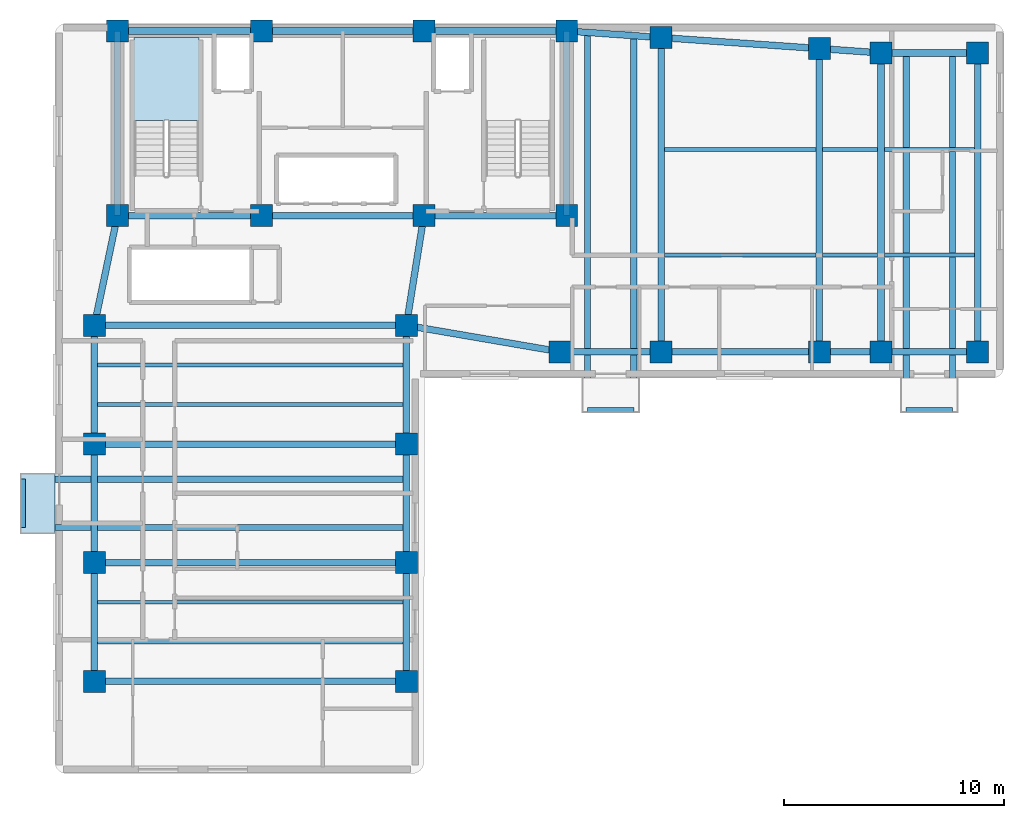
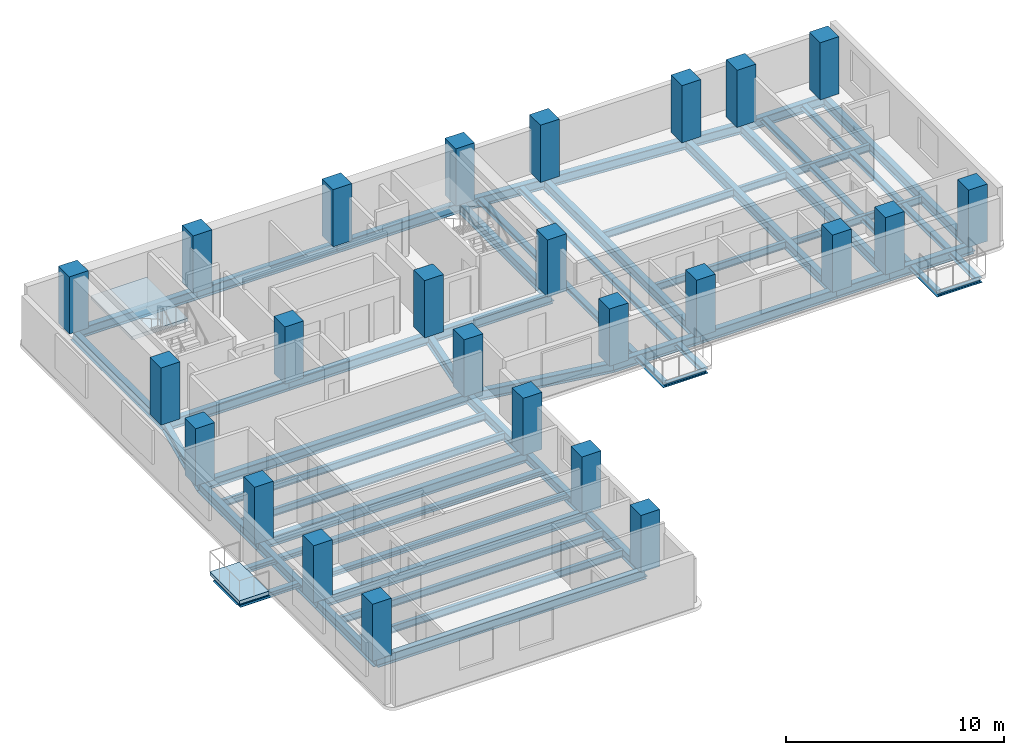
# One storey, part 1 of 7: 52 beams, 25 columns, 2 slabs, 1 element without a shape of its own.
"""IFC4 building model written with IfcOpenShell, lengths in metres."""

from ifc_helpers import new_model, si_unit, direction, frame, origin, origin_2d, place, context, subcontext, project, spatial, polyline, rectangle, i_section, outline, extrude, material, layer, layer_set, material_profile, profile_set, type_object, element, aggregate, save


model = new_model("IFC4")

# Units and contexts
model_context = context("Model", 3, precision=1e-05, world=origin(), true_north=direction((0.0, 1.0)))
body_context = subcontext(model_context, "Body", "Model", "MODEL_VIEW")
ifc_project = project(units=[si_unit("LENGTHUNIT", "METRE"), si_unit("AREAUNIT", "SQUARE_METRE"), si_unit("VOLUMEUNIT", "CUBIC_METRE"), si_unit("PLANEANGLEUNIT", "RADIAN"), si_unit("MASSUNIT", "GRAM", prefix="KILO")], contexts=[model_context])

# Site, building, storey
site_placement = place(None, origin())
site = spatial("IfcSite", under=ifc_project, at=site_placement, CompositionType="ELEMENT")
building_placement = place(site_placement, origin())
building = spatial("IfcBuilding", under=site, at=building_placement, Name="Kuzgunbayir Cultural Tower", CompositionType="ELEMENT")
storey_placement = place(building_placement, frame((0.0, 0.0, 139.39990234375)))
storey = spatial("IfcBuildingStorey", under=building, at=storey_placement, Name="L40", CompositionType="ELEMENT", Elevation=139.39990234375)

# Columns
ifc_material_1 = material(Name="Concrete C50/60", Category="concrete")
ifc_material_profile_1 = material_profile(ifc_material_1, rectangle(XDim=1.0, YDim=1.0, at=origin_2d()), Name="RC 1000x1000")
ifc_profile_set_1 = profile_set([ifc_material_profile_1], Name="Concrete C50/60")
column_type_1 = type_object("IfcColumnType", Name="COL-CORE-1000", PredefinedType="COLUMN", material=ifc_profile_set_1)
for number, where, z_axis, x_axis, name in (
    (1, (6.449951171875, 33.800048828125, 0.0), (0.0, 0.0, 1.0), (1.0, 0.0, 0.0), "L40 T1 Core Boundary Column CC1-1"),
    (2, (13.0, 33.800048828125, 0.0), (0.0, 0.0, 1.0), (1.0, 0.0, 0.0), "L40 T1 Core Boundary Column CC1-2"),
    (3, (20.39990234375, 33.800048828125, 0.0), (0.0, 0.0, 1.0), (1.0, 0.0, 0.0), "L40 T1 Core Boundary Column CC1-3"),
    (4, (26.89990234375, 33.800048828125, 0.0), (0.0, 0.0, 1.0), (1.0, 0.0, 0.0), "L40 T1 Core Boundary Column CC1-4"),
    (5, (6.449951171875, 42.199951171875, 0.0), (0.0, 0.0, 1.0), (1.0, 0.0, 0.0), "L40 T1 Core Boundary Column CC1-5"),
    (6, (13.0, 42.199951171875, 0.0), (0.0, 0.0, 1.0), (1.0, 0.0, 0.0), "L40 T1 Core Boundary Column CC1-6"),
    (7, (20.39990234375, 42.199951171875, 0.0), (0.0, 0.0, 1.0), (1.0, 0.0, 0.0), "L40 T1 Core Boundary Column CC1-7"),
    (8, (26.89990234375, 42.199951171875, 0.0), (0.0, 0.0, 1.0), (1.0, 0.0, 0.0), "L40 T1 Core Boundary Column CC1-8"),
):
    element("IfcColumn", number, at=place(storey_placement, frame(where, z_axis=z_axis, x_axis=x_axis)), inside=storey, type_object=column_type_1, Name=name, PredefinedType="COLUMN", context=body_context, shape_type="SweptSolid", body=[
        extrude(rectangle(XDim=1.0, YDim=1.0, at=origin_2d()), origin(), (0.0, 0.0, 1.0), 3.2001953125),
    ])
ifc_material_profile_2 = material_profile(ifc_material_1, rectangle(XDim=1.0, YDim=1.0, at=origin_2d()), Name="RC 1000x1000")
ifc_profile_set_2 = profile_set([ifc_material_profile_2], Name="Concrete C50/60")
column_type_2 = type_object("IfcColumnType", Name="COL-T1-1000", PredefinedType="COLUMN", material=ifc_profile_set_2)
for number, where, z_axis, x_axis, name in (
    (9, (5.39990234375, 12.60009765625, 0.0), (0.0, 0.0, 1.0), (1.0, 0.0, 0.0), "L40 Tower 1 Wing A Column T1A-W-1"),
    (10, (19.60009765625, 12.60009765625, 0.0), (0.0, 0.0, 1.0), (1.0, 0.0, 0.0), "L40 Tower 1 Wing A Column T1A-E-1"),
    (11, (5.39990234375, 18.0, 0.0), (0.0, 0.0, 1.0), (1.0, 0.0, 0.0), "L40 Tower 1 Wing A Column T1A-W-2"),
    (12, (19.60009765625, 18.0, 0.0), (0.0, 0.0, 1.0), (1.0, 0.0, 0.0), "L40 Tower 1 Wing A Column T1A-E-2"),
    (13, (5.39990234375, 23.39990234375, 0.0), (0.0, 0.0, 1.0), (1.0, 0.0, 0.0), "L40 Tower 1 Wing A Column T1A-W-3"),
    (14, (19.60009765625, 23.39990234375, 0.0), (0.0, 0.0, 1.0), (1.0, 0.0, 0.0), "L40 Tower 1 Wing A Column T1A-E-3"),
    (15, (5.39990234375, 28.800048828125, 0.0), (0.0, 0.0, 1.0), (1.0, 0.0, 0.0), "L40 Tower 1 Wing A Column T1A-W-4"),
    (16, (19.60009765625, 28.800048828125, 0.0), (0.0, 0.0, 1.0), (1.0, 0.0, 0.0), "L40 Tower 1 Wing A Column T1A-E-4"),
    (17, (26.60009765625, 27.60009765625, 0.0), (0.0, 0.0, 1.0), (1.0, 0.0, 0.0), "L40 Tower 1 Wing B Column T1B-1-1"),
    (18, (31.199951171875, 27.60009765625, 0.0), (0.0, 0.0, 1.0), (1.0, 0.0, 0.0), "L40 Tower 1 Wing B Column T1B-2-1"),
    (19, (31.199951171875, 41.89990234375, 0.0), (0.0, 0.0, 1.0), (1.0, 0.0, 0.0), "L40 Tower 1 Wing B Column T1B-2-2"),
    (20, (38.39990234375, 27.60009765625, 0.0), (0.0, 0.0, 1.0), (1.0, 0.0, 0.0), "L40 Tower 1 Wing B Column T1B-3-1"),
    (21, (38.39990234375, 41.39990234375, 0.0), (0.0, 0.0, 1.0), (1.0, 0.0, 0.0), "L40 Tower 1 Wing B Column T1B-3-2"),
    (22, (41.199951171875, 27.60009765625, 0.0), (0.0, 0.0, 1.0), (1.0, 0.0, 0.0), "L40 Tower 1 Wing B Column T1B-4-1"),
    (23, (41.199951171875, 41.199951171875, 0.0), (0.0, 0.0, 1.0), (1.0, 0.0, 0.0), "L40 Tower 1 Wing B Column T1B-4-2"),
    (24, (45.60009765625, 27.60009765625, 0.0), (0.0, 0.0, 1.0), (1.0, 0.0, 0.0), "L40 Tower 1 Wing B Column T1B-5-1"),
    (25, (45.60009765625, 41.199951171875, 0.0), (0.0, 0.0, 1.0), (1.0, 0.0, 0.0), "L40 Tower 1 Wing B Column T1B-5-2"),
):
    element("IfcColumn", number, at=place(storey_placement, frame(where, z_axis=z_axis, x_axis=x_axis)), inside=storey, type_object=column_type_2, Name=name, PredefinedType="COLUMN", context=body_context, shape_type="SweptSolid", body=[
        extrude(rectangle(XDim=1.0, YDim=1.0, at=origin_2d()), origin(), (0.0, 0.0, 1.0), 3.2001953125),
    ])

# Beams
ifc_material_2 = material(Name="Steel S355J2", Category="steel")
ifc_material_profile_3 = material_profile(ifc_material_2, i_section(OverallWidth=0.280029296875, OverallDepth=0.280029296875, WebThickness=0.010498046875, FlangeThickness=0.01806640625, FilletRadius=0.02392578125, at=origin_2d()), Name="HEB 280")
ifc_profile_set_3 = profile_set([ifc_material_profile_3], Name="Steel S355J2")
beam_type_1 = type_object("IfcBeamType", Name="BM-BAL-HEB280", PredefinedType="BEAM", material=ifc_profile_set_3)
for number, where, z_axis, x_axis, name in (
    (26, (2.159912109375, 19.60009765625, -0.33984375), (1.0, 0.0, 0.0), (0.0, 1.0, 0.0), "L40 Balcony Outrigger Beam BAL-L40-WA2.1"),
    (27, (2.159912109375, 21.800048828125, -0.33984375), (1.0, 0.0, 0.0), (0.0, 1.0, 0.0), "L40 Balcony Outrigger Beam BAL-L40-WA2.2"),
):
    element("IfcBeam", number, at=place(storey_placement, frame(where, z_axis=z_axis, x_axis=x_axis)), inside=storey, type_object=beam_type_1, Name=name, PredefinedType="BEAM", context=body_context, shape_type="SweptSolid", body=[
        extrude(i_section(OverallWidth=0.280029296875, OverallDepth=0.280029296875, WebThickness=0.010498046875, FlangeThickness=0.01806640625, FilletRadius=0.02392578125, at=origin_2d()), origin(), (0.0, 0.0, 1.0), 17.440185546875),
    ])
beam_1_placement = place(storey_placement, frame((27.85009765625, 24.9599609375, -0.33984375), z_axis=(0.0, 1.0, 0.0), x_axis=(-1.0, 0.0, 0.0)))
element("IfcBeam", 28, at=beam_1_placement, inside=storey, type_object=beam_type_1, Name="L40 Balcony Outrigger Beam BAL-L40-WB1.1", PredefinedType="BEAM", context=body_context, shape_type="SweptSolid", body=[
    extrude(i_section(OverallWidth=0.280029296875, OverallDepth=0.280029296875, WebThickness=0.010498046875, FlangeThickness=0.01806640625, FilletRadius=0.02392578125, at=origin_2d()), origin(), (0.0, 0.0, 1.0), 17.169921875),
])
beam_2_placement = place(storey_placement, frame((29.949951171875, 24.9599609375, -0.33984375), z_axis=(0.0, 1.0, 0.0), x_axis=(-1.0, 0.0, 0.0)))
element("IfcBeam", 29, at=beam_2_placement, inside=storey, type_object=beam_type_1, Name="L40 Balcony Outrigger Beam BAL-L40-WB1.2", PredefinedType="BEAM", context=body_context, shape_type="SweptSolid", body=[
    extrude(i_section(OverallWidth=0.280029296875, OverallDepth=0.280029296875, WebThickness=0.010498046875, FlangeThickness=0.01806640625, FilletRadius=0.02392578125, at=origin_2d()), origin(), (0.0, 0.0, 1.0), 17.030029296875),
])
for number, where, z_axis, x_axis, name in (
    (30, (42.35009765625, 24.9599609375, -0.33984375), (0.0, 1.0, 0.0), (-1.0, 0.0, 0.0), "L40 Balcony Outrigger Beam BAL-L40-WB3.1"),
    (31, (44.449951171875, 24.9599609375, -0.33984375), (0.0, 1.0, 0.0), (-1.0, 0.0, 0.0), "L40 Balcony Outrigger Beam BAL-L40-WB3.2"),
):
    element("IfcBeam", number, at=place(storey_placement, frame(where, z_axis=z_axis, x_axis=x_axis)), inside=storey, type_object=beam_type_1, Name=name, PredefinedType="BEAM", context=body_context, shape_type="SweptSolid", body=[
        extrude(i_section(OverallWidth=0.280029296875, OverallDepth=0.280029296875, WebThickness=0.010498046875, FlangeThickness=0.01806640625, FilletRadius=0.02392578125, at=origin_2d()), origin(), (0.0, 0.0, 1.0), 16.239990234375),
    ])
ifc_material_profile_4 = material_profile(ifc_material_2, i_section(OverallWidth=0.199951171875, OverallDepth=0.199951171875, WebThickness=0.009033203125, FlangeThickness=0.014892578125, FilletRadius=0.01806640625, at=origin_2d()), Name="HEB 200")
ifc_profile_set_4 = profile_set([ifc_material_profile_4], Name="Steel S355J2")
beam_type_2 = type_object("IfcBeamType", Name="BM-CAN-HEB200", PredefinedType="BEAM", material=ifc_profile_set_4)
beam_3_placement = place(storey_placement, frame((2.159912109375, 19.60009765625, -0.2998046875), z_axis=(0.0, 1.0, 0.0), x_axis=(-1.0, 0.0, 0.0)))
element("IfcBeam", 32, at=beam_3_placement, inside=storey, type_object=beam_type_2, Name="L40 Balcony Edge Header BAL-L40-WA2", PredefinedType="BEAM", context=body_context, shape_type="SweptSolid", body=[
    extrude(i_section(OverallWidth=0.199951171875, OverallDepth=0.199951171875, WebThickness=0.009033203125, FlangeThickness=0.014892578125, FilletRadius=0.01806640625, at=origin_2d()), origin(), (0.0, 0.0, 1.0), 2.199951171875),
])
for number, where, z_axis, x_axis, name in (
    (33, (27.85009765625, 24.9599609375, -0.2998046875), (1.0, 0.0, 0.0), (0.0, 1.0, 0.0), "L40 Balcony Edge Header BAL-L40-WB1"),
    (34, (42.35009765625, 24.9599609375, -0.2998046875), (1.0, 0.0, 0.0), (0.0, 1.0, 0.0), "L40 Balcony Edge Header BAL-L40-WB3"),
):
    element("IfcBeam", number, at=place(storey_placement, frame(where, z_axis=z_axis, x_axis=x_axis)), inside=storey, type_object=beam_type_2, Name=name, PredefinedType="BEAM", context=body_context, shape_type="SweptSolid", body=[
        extrude(i_section(OverallWidth=0.199951171875, OverallDepth=0.199951171875, WebThickness=0.009033203125, FlangeThickness=0.014892578125, FilletRadius=0.01806640625, at=origin_2d()), origin(), (0.0, 0.0, 1.0), 2.099853515625),
    ])
ifc_material_profile_5 = material_profile(ifc_material_2, i_section(OverallWidth=0.300048828125, OverallDepth=0.550048828125, WebThickness=0.014892578125, FlangeThickness=0.029052734375, FilletRadius=0.027099609375, at=origin_2d()), Name="HEB 550")
ifc_profile_set_5 = profile_set([ifc_material_profile_5], Name="Steel S355J2")
beam_type_3 = type_object("IfcBeamType", Name="BM-EXT-HEB550", PredefinedType="BEAM", material=ifc_profile_set_5)
for number, where, z_axis, x_axis, name in (
    (35, (5.39990234375, 12.60009765625, -0.4599609375), (0.0, 1.0, 0.0), (-1.0, 0.0, 0.0), "L40 Wing A West Girder 1"),
    (36, (19.60009765625, 12.60009765625, -0.4599609375), (0.0, 1.0, 0.0), (-1.0, 0.0, 0.0), "L40 Wing A East Girder 1"),
    (37, (5.39990234375, 18.0, -0.4599609375), (0.0, 1.0, 0.0), (-1.0, 0.0, 0.0), "L40 Wing A West Girder 2"),
    (38, (19.60009765625, 18.0, -0.4599609375), (0.0, 1.0, 0.0), (-1.0, 0.0, 0.0), "L40 Wing A East Girder 2"),
):
    element("IfcBeam", number, at=place(storey_placement, frame(where, z_axis=z_axis, x_axis=x_axis)), inside=storey, type_object=beam_type_3, Name=name, PredefinedType="BEAM", context=body_context, shape_type="SweptSolid", body=[
        extrude(i_section(OverallWidth=0.300048828125, OverallDepth=0.550048828125, WebThickness=0.014892578125, FlangeThickness=0.029052734375, FilletRadius=0.027099609375, at=origin_2d()), origin(), (0.0, 0.0, 1.0), 5.39990234375),
    ])
for number, where, z_axis, x_axis, name in (
    (39, (5.39990234375, 23.39990234375, -0.4599609375), (0.0, 1.0, 0.0), (-1.0, 0.0, 0.0), "L40 Wing A West Girder 3"),
    (40, (19.60009765625, 23.39990234375, -0.4599609375), (0.0, 1.0, 0.0), (-1.0, 0.0, 0.0), "L40 Wing A East Girder 3"),
):
    element("IfcBeam", number, at=place(storey_placement, frame(where, z_axis=z_axis, x_axis=x_axis)), inside=storey, type_object=beam_type_3, Name=name, PredefinedType="BEAM", context=body_context, shape_type="SweptSolid", body=[
        extrude(i_section(OverallWidth=0.300048828125, OverallDepth=0.550048828125, WebThickness=0.014892578125, FlangeThickness=0.029052734375, FilletRadius=0.027099609375, at=origin_2d()), origin(), (0.0, 0.0, 1.0), 5.400146484375),
    ])
beam_4_placement = place(storey_placement, frame((26.60009765625, 27.60009765625, -0.4599609375), z_axis=(1.0, 0.0, 0.0), x_axis=(0.0, 1.0, 0.0)))
element("IfcBeam", 41, at=beam_4_placement, inside=storey, type_object=beam_type_3, Name="L40 Wing B South Girder 1", PredefinedType="BEAM", context=body_context, shape_type="SweptSolid", body=[
    extrude(i_section(OverallWidth=0.300048828125, OverallDepth=0.550048828125, WebThickness=0.014892578125, FlangeThickness=0.029052734375, FilletRadius=0.027099609375, at=origin_2d()), origin(), (0.0, 0.0, 1.0), 4.599853515625),
])
beam_5_placement = place(storey_placement, frame((26.89990234375, 42.199951171875, -0.4599609375), z_axis=(0.997574369175, -0.069608749203, 0.0), x_axis=(0.069608749203, 0.997574369175, 0.0)))
element("IfcBeam", 42, at=beam_5_placement, inside=storey, type_object=beam_type_3, Name="L40 Wing B North Girder 1", PredefinedType="BEAM", context=body_context, shape_type="SweptSolid", body=[
    extrude(i_section(OverallWidth=0.300048828125, OverallDepth=0.550048828125, WebThickness=0.014892578125, FlangeThickness=0.029052734375, FilletRadius=0.027099609375, at=origin_2d()), origin(), (0.0, 0.0, 1.0), 4.310546875),
])
beam_6_placement = place(storey_placement, frame((31.199951171875, 27.60009765625, -0.4599609375), z_axis=(1.0, 0.0, 0.0), x_axis=(0.0, 1.0, 0.0)))
element("IfcBeam", 43, at=beam_6_placement, inside=storey, type_object=beam_type_3, Name="L40 Wing B South Girder 2", PredefinedType="BEAM", context=body_context, shape_type="SweptSolid", body=[
    extrude(i_section(OverallWidth=0.300048828125, OverallDepth=0.550048828125, WebThickness=0.014892578125, FlangeThickness=0.029052734375, FilletRadius=0.027099609375, at=origin_2d()), origin(), (0.0, 0.0, 1.0), 7.199951171875),
])
beam_7_placement = place(storey_placement, frame((31.199951171875, 41.89990234375, -0.4599609375), z_axis=(0.997597388498, -0.069278066245, 0.0), x_axis=(0.069278066245, 0.997597388498, 0.0)))
element("IfcBeam", 44, at=beam_7_placement, inside=storey, type_object=beam_type_3, Name="L40 Wing B North Girder 2", PredefinedType="BEAM", context=body_context, shape_type="SweptSolid", body=[
    extrude(i_section(OverallWidth=0.300048828125, OverallDepth=0.550048828125, WebThickness=0.014892578125, FlangeThickness=0.029052734375, FilletRadius=0.027099609375, at=origin_2d()), origin(), (0.0, 0.0, 1.0), 7.21728515625),
])
beam_8_placement = place(storey_placement, frame((38.39990234375, 27.60009765625, -0.4599609375), z_axis=(1.0, 0.0, 0.0), x_axis=(0.0, 1.0, 0.0)))
element("IfcBeam", 45, at=beam_8_placement, inside=storey, type_object=beam_type_3, Name="L40 Wing B South Girder 3", PredefinedType="BEAM", context=body_context, shape_type="SweptSolid", body=[
    extrude(i_section(OverallWidth=0.300048828125, OverallDepth=0.550048828125, WebThickness=0.014892578125, FlangeThickness=0.029052734375, FilletRadius=0.027099609375, at=origin_2d()), origin(), (0.0, 0.0, 1.0), 2.800048828125),
])
beam_9_placement = place(storey_placement, frame((38.39990234375, 41.39990234375, -0.4599609375), z_axis=(0.997460024076, -0.071228508128, 0.0), x_axis=(0.071228508128, 0.997460024076, 0.0)))
element("IfcBeam", 46, at=beam_9_placement, inside=storey, type_object=beam_type_3, Name="L40 Wing B North Girder 3", PredefinedType="BEAM", context=body_context, shape_type="SweptSolid", body=[
    extrude(i_section(OverallWidth=0.300048828125, OverallDepth=0.550048828125, WebThickness=0.014892578125, FlangeThickness=0.029052734375, FilletRadius=0.027099609375, at=origin_2d()), origin(), (0.0, 0.0, 1.0), 2.80712890625),
])
for number, where, z_axis, x_axis, name in (
    (47, (41.199951171875, 27.60009765625, -0.4599609375), (1.0, 0.0, 0.0), (0.0, 1.0, 0.0), "L40 Wing B South Girder 4"),
    (48, (41.199951171875, 41.199951171875, -0.4599609375), (1.0, 0.0, 0.0), (0.0, 1.0, 0.0), "L40 Wing B North Girder 4"),
):
    element("IfcBeam", number, at=place(storey_placement, frame(where, z_axis=z_axis, x_axis=x_axis)), inside=storey, type_object=beam_type_3, Name=name, PredefinedType="BEAM", context=body_context, shape_type="SweptSolid", body=[
        extrude(i_section(OverallWidth=0.300048828125, OverallDepth=0.550048828125, WebThickness=0.014892578125, FlangeThickness=0.029052734375, FilletRadius=0.027099609375, at=origin_2d()), origin(), (0.0, 0.0, 1.0), 4.400146484375),
    ])
ifc_material_profile_6 = material_profile(ifc_material_2, i_section(OverallWidth=0.300048828125, OverallDepth=0.550048828125, WebThickness=0.014892578125, FlangeThickness=0.029052734375, FilletRadius=0.027099609375, at=origin_2d()), Name="HEB 550")
ifc_profile_set_6 = profile_set([ifc_material_profile_6], Name="Steel S355J2")
beam_type_4 = type_object("IfcBeamType", Name="BM-GIR-HEB550", PredefinedType="BEAM", material=ifc_profile_set_6)
beam_10_placement = place(storey_placement, frame((6.449951171875, 33.800048828125, -0.4599609375), z_axis=(1.0, 0.0, 0.0), x_axis=(0.0, 1.0, 0.0)))
element("IfcBeam", 49, at=beam_10_placement, inside=storey, type_object=beam_type_4, Name="L40 Core South Girder 1", PredefinedType="BEAM", context=body_context, shape_type="SweptSolid", body=[
    extrude(i_section(OverallWidth=0.300048828125, OverallDepth=0.550048828125, WebThickness=0.014892578125, FlangeThickness=0.029052734375, FilletRadius=0.027099609375, at=origin_2d()), origin(), (0.0, 0.0, 1.0), 6.550048828125),
])
beam_11_placement = place(storey_placement, frame((13.0, 33.800048828125, -0.4599609375), z_axis=(1.0, 0.0, 0.0), x_axis=(0.0, 1.0, 0.0)))
element("IfcBeam", 50, at=beam_11_placement, inside=storey, type_object=beam_type_4, Name="L40 Core South Girder 2", PredefinedType="BEAM", context=body_context, shape_type="SweptSolid", body=[
    extrude(i_section(OverallWidth=0.300048828125, OverallDepth=0.550048828125, WebThickness=0.014892578125, FlangeThickness=0.029052734375, FilletRadius=0.027099609375, at=origin_2d()), origin(), (0.0, 0.0, 1.0), 7.39990234375),
])
beam_12_placement = place(storey_placement, frame((20.39990234375, 33.800048828125, -0.4599609375), z_axis=(1.0, 0.0, 0.0), x_axis=(0.0, 1.0, 0.0)))
element("IfcBeam", 51, at=beam_12_placement, inside=storey, type_object=beam_type_4, Name="L40 Core South Girder 3", PredefinedType="BEAM", context=body_context, shape_type="SweptSolid", body=[
    extrude(i_section(OverallWidth=0.300048828125, OverallDepth=0.550048828125, WebThickness=0.014892578125, FlangeThickness=0.029052734375, FilletRadius=0.027099609375, at=origin_2d()), origin(), (0.0, 0.0, 1.0), 6.5),
])
beam_13_placement = place(storey_placement, frame((6.449951171875, 42.199951171875, -0.4599609375), z_axis=(1.0, 0.0, 0.0), x_axis=(0.0, 1.0, 0.0)))
element("IfcBeam", 52, at=beam_13_placement, inside=storey, type_object=beam_type_4, Name="L40 Core North Girder 1", PredefinedType="BEAM", context=body_context, shape_type="SweptSolid", body=[
    extrude(i_section(OverallWidth=0.300048828125, OverallDepth=0.550048828125, WebThickness=0.014892578125, FlangeThickness=0.029052734375, FilletRadius=0.027099609375, at=origin_2d()), origin(), (0.0, 0.0, 1.0), 6.550048828125),
])
beam_14_placement = place(storey_placement, frame((13.0, 42.199951171875, -0.4599609375), z_axis=(1.0, 0.0, 0.0), x_axis=(0.0, 1.0, 0.0)))
element("IfcBeam", 53, at=beam_14_placement, inside=storey, type_object=beam_type_4, Name="L40 Core North Girder 2", PredefinedType="BEAM", context=body_context, shape_type="SweptSolid", body=[
    extrude(i_section(OverallWidth=0.300048828125, OverallDepth=0.550048828125, WebThickness=0.014892578125, FlangeThickness=0.029052734375, FilletRadius=0.027099609375, at=origin_2d()), origin(), (0.0, 0.0, 1.0), 7.39990234375),
])
beam_15_placement = place(storey_placement, frame((20.39990234375, 42.199951171875, -0.4599609375), z_axis=(1.0, 0.0, 0.0), x_axis=(0.0, 1.0, 0.0)))
element("IfcBeam", 54, at=beam_15_placement, inside=storey, type_object=beam_type_4, Name="L40 Core North Girder 3", PredefinedType="BEAM", context=body_context, shape_type="SweptSolid", body=[
    extrude(i_section(OverallWidth=0.300048828125, OverallDepth=0.550048828125, WebThickness=0.014892578125, FlangeThickness=0.029052734375, FilletRadius=0.027099609375, at=origin_2d()), origin(), (0.0, 0.0, 1.0), 6.5),
])
for number, where, z_axis, x_axis, name in (
    (55, (6.449951171875, 33.800048828125, -0.4599609375), (0.0, 1.0, 0.0), (-1.0, 0.0, 0.0), "L40 Core West Edge Girder"),
    (56, (26.89990234375, 33.800048828125, -0.4599609375), (0.0, 1.0, 0.0), (-1.0, 0.0, 0.0), "L40 Core East Edge Girder"),
):
    element("IfcBeam", number, at=place(storey_placement, frame(where, z_axis=z_axis, x_axis=x_axis)), inside=storey, type_object=beam_type_4, Name=name, PredefinedType="BEAM", context=body_context, shape_type="SweptSolid", body=[
        extrude(i_section(OverallWidth=0.300048828125, OverallDepth=0.550048828125, WebThickness=0.014892578125, FlangeThickness=0.029052734375, FilletRadius=0.027099609375, at=origin_2d()), origin(), (0.0, 0.0, 1.0), 8.39990234375),
    ])
for number, where, z_axis, x_axis, name in (
    (57, (5.39990234375, 12.60009765625, -0.4599609375), (1.0, 0.0, 0.0), (0.0, 1.0, 0.0), "L40 Wing A Transverse Girder 1"),
    (58, (5.39990234375, 18.0, -0.4599609375), (1.0, 0.0, 0.0), (0.0, 1.0, 0.0), "L40 Wing A Transverse Girder 2"),
    (59, (5.39990234375, 23.39990234375, -0.4599609375), (1.0, 0.0, 0.0), (0.0, 1.0, 0.0), "L40 Wing A Transverse Girder 3"),
    (60, (5.39990234375, 28.800048828125, -0.4599609375), (1.0, 0.0, 0.0), (0.0, 1.0, 0.0), "L40 Wing A Transverse Girder 4"),
):
    element("IfcBeam", number, at=place(storey_placement, frame(where, z_axis=z_axis, x_axis=x_axis)), inside=storey, type_object=beam_type_4, Name=name, PredefinedType="BEAM", context=body_context, shape_type="SweptSolid", body=[
        extrude(i_section(OverallWidth=0.300048828125, OverallDepth=0.550048828125, WebThickness=0.014892578125, FlangeThickness=0.029052734375, FilletRadius=0.027099609375, at=origin_2d()), origin(), (0.0, 0.0, 1.0), 14.2001953125),
    ])
beam_16_placement = place(storey_placement, frame((5.39990234375, 28.800048828125, -0.4599609375), z_axis=(0.205526387753, 0.978651574329, 0.0), x_axis=(-0.978651574329, 0.205526387753, 0.0)))
element("IfcBeam", 61, at=beam_16_placement, inside=storey, type_object=beam_type_4, Name="L40 Wing A West Core Floor Girder", PredefinedType="BEAM", context=body_context, shape_type="SweptSolid", body=[
    extrude(i_section(OverallWidth=0.300048828125, OverallDepth=0.550048828125, WebThickness=0.014892578125, FlangeThickness=0.029052734375, FilletRadius=0.027099609375, at=origin_2d()), origin(), (0.0, 0.0, 1.0), 5.109130859375),
])
beam_17_placement = place(storey_placement, frame((19.60009765625, 28.800048828125, -0.4599609375), z_axis=(0.157952891656, 0.987446648694, 0.0), x_axis=(-0.987446648694, 0.157952891656, 0.0)))
element("IfcBeam", 62, at=beam_17_placement, inside=storey, type_object=beam_type_4, Name="L40 Wing A East Core Floor Girder", PredefinedType="BEAM", context=body_context, shape_type="SweptSolid", body=[
    extrude(i_section(OverallWidth=0.300048828125, OverallDepth=0.550048828125, WebThickness=0.014892578125, FlangeThickness=0.029052734375, FilletRadius=0.027099609375, at=origin_2d()), origin(), (0.0, 0.0, 1.0), 5.0634765625),
])
beam_18_placement = place(storey_placement, frame((31.199951171875, 27.60009765625, -0.4599609375), z_axis=(0.0, 1.0, 0.0), x_axis=(-1.0, 0.0, 0.0)))
element("IfcBeam", 63, at=beam_18_placement, inside=storey, type_object=beam_type_4, Name="L40 Wing B Cross Girder 31", PredefinedType="BEAM", context=body_context, shape_type="SweptSolid", body=[
    extrude(i_section(OverallWidth=0.300048828125, OverallDepth=0.550048828125, WebThickness=0.014892578125, FlangeThickness=0.029052734375, FilletRadius=0.027099609375, at=origin_2d()), origin(), (0.0, 0.0, 1.0), 14.2998046875),
])
beam_19_placement = place(storey_placement, frame((38.39990234375, 27.60009765625, -0.4599609375), z_axis=(0.0, 1.0, 0.0), x_axis=(-1.0, 0.0, 0.0)))
element("IfcBeam", 64, at=beam_19_placement, inside=storey, type_object=beam_type_4, Name="L40 Wing B Cross Girder 38", PredefinedType="BEAM", context=body_context, shape_type="SweptSolid", body=[
    extrude(i_section(OverallWidth=0.300048828125, OverallDepth=0.550048828125, WebThickness=0.014892578125, FlangeThickness=0.029052734375, FilletRadius=0.027099609375, at=origin_2d()), origin(), (0.0, 0.0, 1.0), 13.7998046875),
])
for number, where, z_axis, x_axis, name in (
    (65, (41.199951171875, 27.60009765625, -0.4599609375), (0.0, 1.0, 0.0), (-1.0, 0.0, 0.0), "L40 Wing B Cross Girder 41"),
    (66, (45.60009765625, 27.60009765625, -0.4599609375), (0.0, 1.0, 0.0), (-1.0, 0.0, 0.0), "L40 Wing B Cross Girder 45"),
):
    element("IfcBeam", number, at=place(storey_placement, frame(where, z_axis=z_axis, x_axis=x_axis)), inside=storey, type_object=beam_type_4, Name=name, PredefinedType="BEAM", context=body_context, shape_type="SweptSolid", body=[
        extrude(i_section(OverallWidth=0.300048828125, OverallDepth=0.550048828125, WebThickness=0.014892578125, FlangeThickness=0.029052734375, FilletRadius=0.027099609375, at=origin_2d()), origin(), (0.0, 0.0, 1.0), 13.599853515625),
    ])
beam_20_placement = place(storey_placement, frame((19.60009765625, 28.800048828125, -0.4599609375), z_axis=(0.985623399742, -0.168957136221, 0.0), x_axis=(0.168957136221, 0.985623399742, 0.0)))
element("IfcBeam", 67, at=beam_20_placement, inside=storey, type_object=beam_type_4, Name="L40 Wing B Waist Tie Girder", PredefinedType="BEAM", context=body_context, shape_type="SweptSolid", body=[
    extrude(i_section(OverallWidth=0.300048828125, OverallDepth=0.550048828125, WebThickness=0.014892578125, FlangeThickness=0.029052734375, FilletRadius=0.027099609375, at=origin_2d()), origin(), (0.0, 0.0, 1.0), 7.10205078125),
])
ifc_material_profile_7 = material_profile(ifc_material_2, i_section(OverallWidth=0.179931640625, OverallDepth=0.39990234375, WebThickness=0.008544921875, FlangeThickness=0.013427734375, FilletRadius=0.02099609375, at=origin_2d()), Name="IPE 400")
ifc_profile_set_7 = profile_set([ifc_material_profile_7], Name="Steel S355J2")
beam_type_5 = type_object("IfcBeamType", Name="BM-JST-IPE400", PredefinedType="JOIST", material=ifc_profile_set_7)
for number, where, z_axis, x_axis, name in (
    (68, (5.550048828125, 14.39990234375, -0.3798828125), (1.0, 0.0, 0.0), (0.0, 1.0, 0.0), "L40 Wing A Secondary Joist 1"),
    (69, (5.550048828125, 16.199951171875, -0.3798828125), (1.0, 0.0, 0.0), (0.0, 1.0, 0.0), "L40 Wing A Secondary Joist 2"),
    (70, (5.550048828125, 25.199951171875, -0.3798828125), (1.0, 0.0, 0.0), (0.0, 1.0, 0.0), "L40 Wing A Secondary Joist 5"),
    (71, (5.550048828125, 27.0, -0.3798828125), (1.0, 0.0, 0.0), (0.0, 1.0, 0.0), "L40 Wing A Secondary Joist 6"),
):
    element("IfcBeam", number, at=place(storey_placement, frame(where, z_axis=z_axis, x_axis=x_axis)), inside=storey, type_object=beam_type_5, Name=name, PredefinedType="JOIST", context=body_context, shape_type="SweptSolid", body=[
        extrude(i_section(OverallWidth=0.179931640625, OverallDepth=0.39990234375, WebThickness=0.008544921875, FlangeThickness=0.013427734375, FilletRadius=0.02099609375, at=origin_2d()), origin(), (0.0, 0.0, 1.0), 13.89990234375),
    ])
for number, where, z_axis, x_axis, name in (
    (72, (31.35009765625, 32.0, -0.3798828125), (1.0, 0.0, 0.0), (0.0, 1.0, 0.0), "L40 Wing B Secondary Joist 1.1"),
    (73, (31.35009765625, 36.800048828125, -0.3798828125), (1.0, 0.0, 0.0), (0.0, 1.0, 0.0), "L40 Wing B Secondary Joist 1.2"),
):
    element("IfcBeam", number, at=place(storey_placement, frame(where, z_axis=z_axis, x_axis=x_axis)), inside=storey, type_object=beam_type_5, Name=name, PredefinedType="JOIST", context=body_context, shape_type="SweptSolid", body=[
        extrude(i_section(OverallWidth=0.179931640625, OverallDepth=0.39990234375, WebThickness=0.008544921875, FlangeThickness=0.013427734375, FilletRadius=0.02099609375, at=origin_2d()), origin(), (0.0, 0.0, 1.0), 6.89990234375),
    ])
for number, where, z_axis, x_axis, name in (
    (74, (38.550048828125, 32.0, -0.3798828125), (1.0, 0.0, 0.0), (0.0, 1.0, 0.0), "L40 Wing B Secondary Joist 2.1"),
    (75, (38.550048828125, 36.800048828125, -0.3798828125), (1.0, 0.0, 0.0), (0.0, 1.0, 0.0), "L40 Wing B Secondary Joist 2.2"),
):
    element("IfcBeam", number, at=place(storey_placement, frame(where, z_axis=z_axis, x_axis=x_axis)), inside=storey, type_object=beam_type_5, Name=name, PredefinedType="JOIST", context=body_context, shape_type="SweptSolid", body=[
        extrude(i_section(OverallWidth=0.179931640625, OverallDepth=0.39990234375, WebThickness=0.008544921875, FlangeThickness=0.013427734375, FilletRadius=0.02099609375, at=origin_2d()), origin(), (0.0, 0.0, 1.0), 2.5),
    ])
for number, where, z_axis, x_axis, name in (
    (76, (41.35009765625, 32.0, -0.3798828125), (1.0, 0.0, 0.0), (0.0, 1.0, 0.0), "L40 Wing B Secondary Joist 3.1"),
    (77, (41.35009765625, 36.800048828125, -0.3798828125), (1.0, 0.0, 0.0), (0.0, 1.0, 0.0), "L40 Wing B Secondary Joist 3.2"),
):
    element("IfcBeam", number, at=place(storey_placement, frame(where, z_axis=z_axis, x_axis=x_axis)), inside=storey, type_object=beam_type_5, Name=name, PredefinedType="JOIST", context=body_context, shape_type="SweptSolid", body=[
        extrude(i_section(OverallWidth=0.179931640625, OverallDepth=0.39990234375, WebThickness=0.008544921875, FlangeThickness=0.013427734375, FilletRadius=0.02099609375, at=origin_2d()), origin(), (0.0, 0.0, 1.0), 4.099853515625),
    ])

# Slab
ifc_material_3 = material(Name="Concrete C40/50", Category="concrete")
ifc_layer_1 = layer(ifc_material_3, 0.199951171875)
ifc_layer_set_1 = layer_set([ifc_layer_1], Name="Concrete C40/50")
slab_type_1 = type_object("IfcSlabType", Name="SLB-BAL-STONE", PredefinedType="FLOOR", material=ifc_layer_set_1)
slab_1_placement = place(storey_placement, frame((0.0, 0.0, -0.199951171875)))
element("IfcSlab", 78, at=slab_1_placement, inside=storey, type_object=slab_type_1, Name="L40 Projecting Limestone Balcony BAL-L40-WA2", PredefinedType="FLOOR", context=body_context, shape_type="SweptSolid", body=[
    extrude(outline(polyline([(2.0400390625, 19.35009765625), (3.60009765625, 19.35009765625), (3.60009765625, 22.050048828125), (2.0400390625, 22.050048828125), (2.0400390625, 19.35009765625)])), origin(), (0.0, 0.0, 1.0), 0.199951171875),
])

# Stair, slab
stair_type = type_object("IfcStairType", Name="STR-EXIT-CORE", PredefinedType="HALF_TURN_STAIR", material=ifc_material_3)
stair_placement = place(storey_placement, origin())
stair = element("IfcStair", 79, at=stair_placement, inside=storey, type_object=stair_type, Name="L40 ST-1", PredefinedType="HALF_TURN_STAIR")
ifc_layer_2 = layer(ifc_material_3, 0.179931640625)
ifc_layer_set_2 = layer_set([ifc_layer_2], Name="Concrete C40/50")
slab_type_2 = type_object("IfcSlabType", Name="SLB-LANDING-180", PredefinedType="LANDING", material=ifc_layer_set_2)
slab_2_placement = place(storey_placement, frame((0.0, 0.0, 1.400146484375)))
slab_2 = element("IfcSlab", 80, at=slab_2_placement, type_object=slab_type_2, Name="ST-1 landing 1", PredefinedType="LANDING", context=body_context, shape_type="SweptSolid", body=[
    extrude(outline(polyline([(10.159912109375, 38.1201171875), (10.159912109375, 41.89990234375), (7.199951171875, 41.89990234375), (7.199951171875, 38.1201171875), (10.159912109375, 38.1201171875)])), origin(), (0.0, 0.0, 1.0), 0.199951171875),
])
aggregate(stair, [slab_2])

save(model, "model.ifc")
